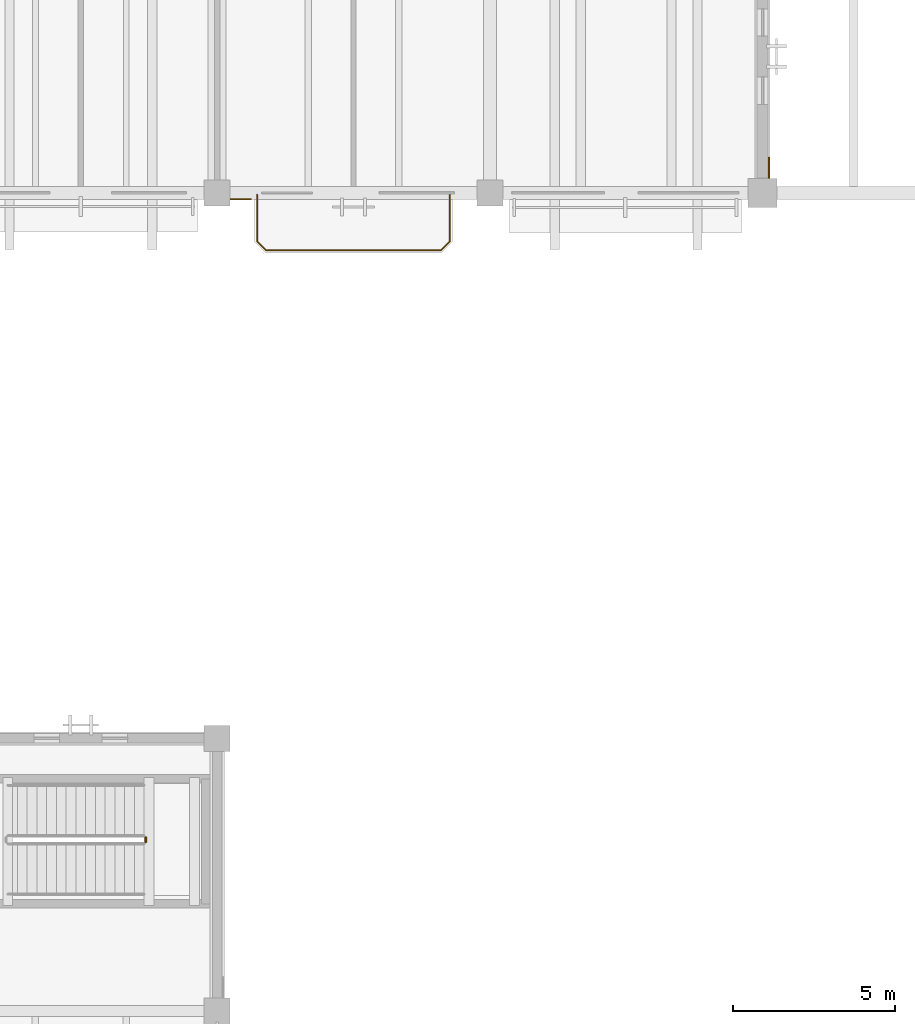
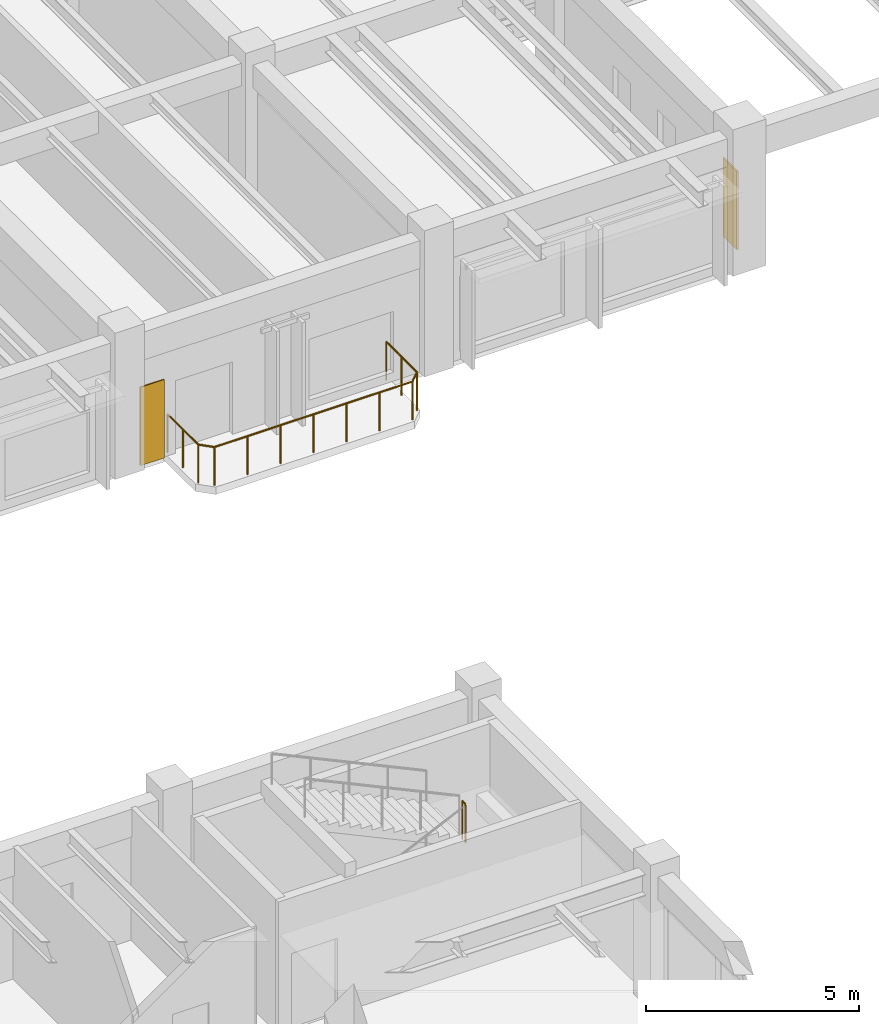
# One storey, part 120 of 132: 2 coverings, 2 railings.
"""IFC4 building model written with IfcOpenShell, lengths in metres."""

from ifc_helpers import new_model, si_unit, direction, frame, origin, origin_2d, place, context, subcontext, project, spatial, polyline, circle, outline, extrude, material, layer, layer_set, type_object, element, save


model = new_model("IFC4")

# Units and contexts
model_context = context("Model", 3, precision=1e-05, world=origin(), true_north=direction((0.0, 1.0)))
body_context = subcontext(model_context, "Body", "Model", "MODEL_VIEW")
ifc_project = project(units=[si_unit("LENGTHUNIT", "METRE"), si_unit("AREAUNIT", "SQUARE_METRE"), si_unit("VOLUMEUNIT", "CUBIC_METRE"), si_unit("PLANEANGLEUNIT", "RADIAN"), si_unit("MASSUNIT", "GRAM", prefix="KILO")], contexts=[model_context])

# Site, building, storey
site_placement = place(None, origin())
site = spatial("IfcSite", under=ifc_project, at=site_placement, CompositionType="ELEMENT")
building_placement = place(site_placement, origin())
building = spatial("IfcBuilding", under=site, at=building_placement, Name="Cumbredor Promenade Congress Hotel", CompositionType="ELEMENT")
storey_placement = place(building_placement, frame((0.0, 0.0, 7.56005859375)))
storey = spatial("IfcBuildingStorey", under=building, at=storey_placement, Name="L02", CompositionType="ELEMENT", Elevation=7.56005859375)

# Covering
ifc_material_1 = material(Name="Precast concrete C40/50", Category="concrete")
ifc_layer_1 = layer(ifc_material_1, 0.044921875, Name="Precast concrete C40/50", Category="concrete")
ifc_layer_set_1 = layer_set([ifc_layer_1], Name="Precast concrete C40/50")
covering_type_1 = type_object("IfcCoveringType", Name="Board-Formed Architectural Cladding Panel 45mm", PredefinedType="CLADDING", material=ifc_layer_set_1)
covering_1_placement = place(storey_placement, origin())
element("IfcCovering", 1, at=covering_1_placement, inside=storey, type_object=covering_type_1, Name="L02 Facade Stone Cladding Pier 130", PredefinedType="CLADDING", context=body_context, shape_type="SweptSolid", body=[
    extrude(outline(polyline([(84.175048828125, 84.450927734375), (84.175048828125, 85.10107421875), (84.219970703125, 85.10107421875), (84.219970703125, 84.450927734375), (84.175048828125, 84.450927734375)])), origin(), (0.0, 0.0, 1.0), 2.25),
])

# Railings
ifc_material_2 = material(Name="Brushed stainless steel", Category="steel")
railing_type_1 = type_object("IfcRailingType", Name="Interior Void & Stair Guardrail GR-1100", PredefinedType="GUARDRAIL", material=ifc_material_2)
railing_1_placement = place(storey_placement, frame((65.0, 64.0, 2.099853515625)))
element("IfcRailing", 2, at=railing_1_placement, inside=storey, type_object=railing_type_1, Name="L02 ST-07 stair guard 2", PredefinedType="GUARDRAIL", context=body_context, shape_type="SweptSolid", body=[
    extrude(circle(Radius=0.02392578125, at=origin_2d()), frame((0.0, 0.0, 1.09619140625), z_axis=(0.0, 1.0, 0.0), x_axis=(-1.0, 0.0, 0.0)), (0.0, 0.0, 1.0), 0.14990234375),
    extrude(circle(Radius=0.02099609375, at=origin_2d()), origin(), (0.0, 0.0, 1.0), 1.072021484375),
    extrude(circle(Radius=0.02099609375, at=origin_2d()), frame((0.0, 0.14990234375, 0.0)), (0.0, 0.0, 1.0), 1.072021484375),
])
railing_type_2 = type_object("IfcRailingType", Name="Terrace Perimeter Balustrade BAL-1120", PredefinedType="BALUSTRADE", material=ifc_material_2)
railing_2_placement = place(storey_placement, frame((68.429931640625, 83.949951171875, 0.0)))
element("IfcRailing", 3, at=railing_2_placement, inside=storey, type_object=railing_type_2, Name="L02 Veranda Balcony Balustrade 011", PredefinedType="BALUSTRADE", context=body_context, shape_type="SweptSolid", body=[
    extrude(circle(Radius=0.02392578125, at=origin_2d()), frame((0.0, 0.0, 1.09619140625), z_axis=(0.0, -1.0, 0.0), x_axis=(1.0, 0.0, 0.0)), (0.0, 0.0, 1.0), 1.43994140625),
    extrude(circle(Radius=0.02392578125, at=origin_2d()), frame((0.0, -1.43994140625, 1.09619140625), z_axis=(0.707106781187, -0.707106781187, 0.0), x_axis=(0.707106781187, 0.707106781187, 0.0)), (0.0, 0.0, 1.0), 0.39599609375),
    extrude(circle(Radius=0.02392578125, at=origin_2d()), frame((0.280029296875, -1.719970703125, 1.09619140625), z_axis=(1.0, 0.0, 0.0), x_axis=(0.0, 1.0, 0.0)), (0.0, 0.0, 1.0), 5.380126953125),
    extrude(circle(Radius=0.02392578125, at=origin_2d()), frame((5.66015625, -1.719970703125, 1.09619140625), z_axis=(0.707106781187, 0.707106781187, 0.0), x_axis=(-0.707106781187, 0.707106781187, 0.0)), (0.0, 0.0, 1.0), 0.39599609375),
    extrude(circle(Radius=0.02392578125, at=origin_2d()), frame((5.940185546875, -1.43994140625, 1.09619140625), z_axis=(0.0, 1.0, 0.0), x_axis=(-1.0, 0.0, 0.0)), (0.0, 0.0, 1.0), 1.43994140625),
    extrude(circle(Radius=0.02099609375, at=origin_2d()), origin(), (0.0, 0.0, 1.0), 1.072021484375),
    extrude(circle(Radius=0.02099609375, at=origin_2d()), frame((0.0, -0.719970703125, 0.0)), (0.0, 0.0, 1.0), 1.072021484375),
    extrude(circle(Radius=0.02099609375, at=origin_2d()), frame((0.0, -1.43994140625, 0.0)), (0.0, 0.0, 1.0), 1.072021484375),
    extrude(circle(Radius=0.02099609375, at=origin_2d()), frame((0.280029296875, -1.719970703125, 0.0)), (0.0, 0.0, 1.0), 1.072021484375),
    extrude(circle(Radius=0.02099609375, at=origin_2d()), frame((1.1767578125, -1.719970703125, 0.0)), (0.0, 0.0, 1.0), 1.072021484375),
    extrude(circle(Radius=0.02099609375, at=origin_2d()), frame((2.073486328125, -1.719970703125, 0.0)), (0.0, 0.0, 1.0), 1.072021484375),
    extrude(circle(Radius=0.02099609375, at=origin_2d()), frame((2.97021484375, -1.719970703125, 0.0)), (0.0, 0.0, 1.0), 1.072021484375),
    extrude(circle(Radius=0.02099609375, at=origin_2d()), frame((3.86669921875, -1.719970703125, 0.0)), (0.0, 0.0, 1.0), 1.072021484375),
    extrude(circle(Radius=0.02099609375, at=origin_2d()), frame((4.763427734375, -1.719970703125, 0.0)), (0.0, 0.0, 1.0), 1.072021484375),
    extrude(circle(Radius=0.02099609375, at=origin_2d()), frame((5.66015625, -1.719970703125, 0.0)), (0.0, 0.0, 1.0), 1.072021484375),
    extrude(circle(Radius=0.02099609375, at=origin_2d()), frame((5.940185546875, -1.43994140625, 0.0)), (0.0, 0.0, 1.0), 1.072021484375),
    extrude(circle(Radius=0.02099609375, at=origin_2d()), frame((5.940185546875, -0.719970703125, 0.0)), (0.0, 0.0, 1.0), 1.072021484375),
    extrude(circle(Radius=0.02099609375, at=origin_2d()), frame((5.940185546875, 0.0, 0.0)), (0.0, 0.0, 1.0), 1.072021484375),
])

# Covering
ifc_material_3 = material(Name="Volcanic andesite ashlar cladding", Category="masonry")
ifc_layer_2 = layer(ifc_material_3, 0.034912109375, Name="Volcanic andesite ashlar cladding", Category="masonry")
ifc_layer_set_2 = layer_set([ifc_layer_2], Name="Volcanic andesite ashlar cladding")
covering_type_2 = type_object("IfcCoveringType", Name="Volcanic Andesite Ashlar Rainscreen Cladding 35mm", PredefinedType="CLADDING", material=ifc_layer_set_2)
covering_2_placement = place(storey_placement, origin())
element("IfcCovering", 4, at=covering_2_placement, inside=storey, type_object=covering_type_2, Name="L02 Facade Stone Cladding Pier 123", PredefinedType="CLADDING", context=body_context, shape_type="SweptSolid", body=[
    extrude(outline(polyline([(67.60107421875, 83.824951171875), (68.2509765625, 83.824951171875), (68.2509765625, 83.7900390625), (67.60107421875, 83.7900390625), (67.60107421875, 83.824951171875)])), origin(), (0.0, 0.0, 1.0), 2.25),
])

save(model, "model.ifc")
